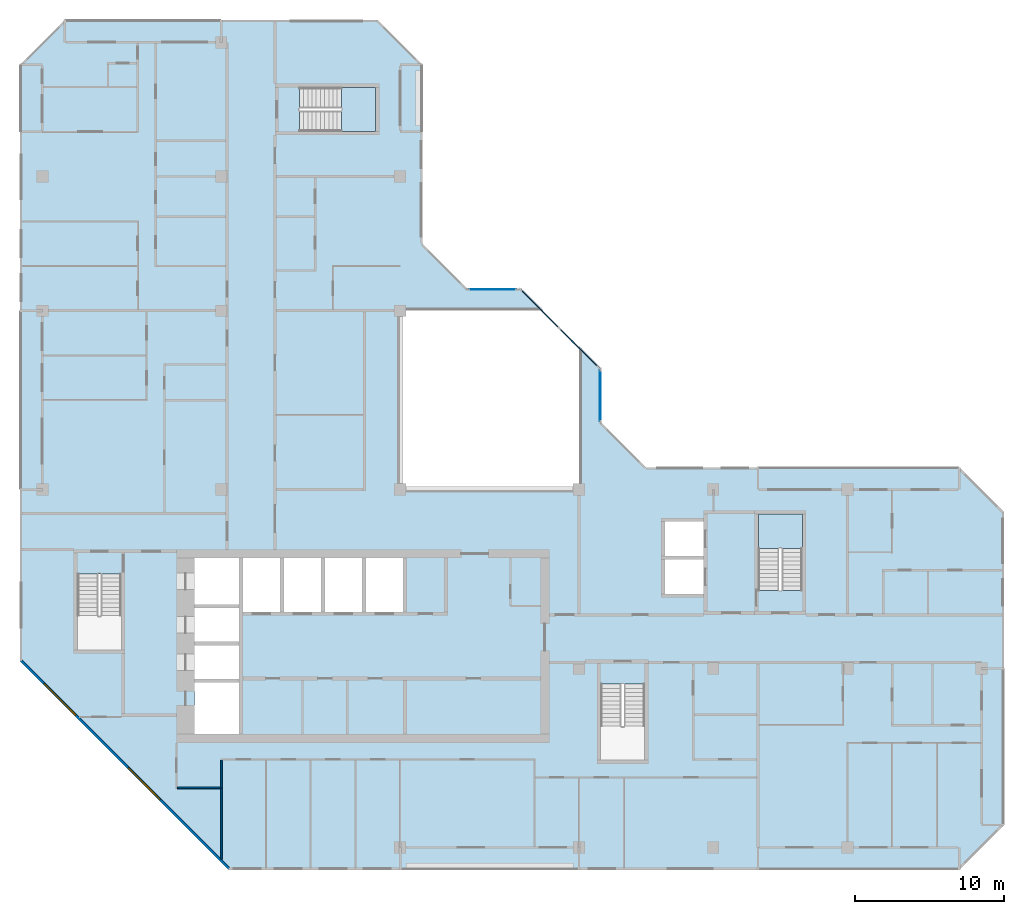
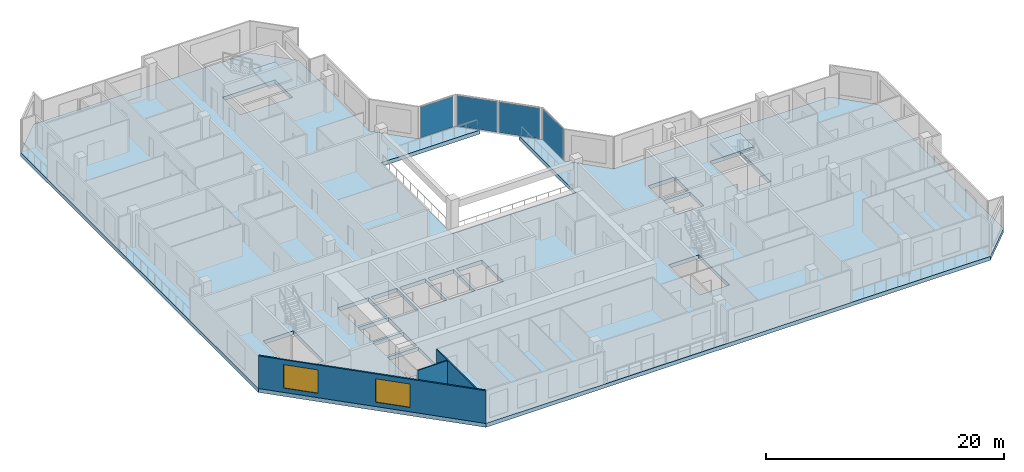
# One storey, part 3 of 13: 4 plates, 3 slabs, 3 walls, 2 windows, 2 openings, 5 elements without a shape of their own.
"""IFC4 building model written with IfcOpenShell, lengths in metres."""

from ifc_helpers import new_model, si_unit, direction, frame, frame_2d, origin, origin_2d, place, context, subcontext, project, spatial, polyline, rectangle, outline, extrude, material, layer, layer_set, type_object, element, fill, aggregate, save


model = new_model("IFC4")

# Units and contexts
model_context = context("Model", 3, precision=1e-05, world=origin(), true_north=direction((0.0, 1.0)))
body_context = subcontext(model_context, "Body", "Model", "MODEL_VIEW")
ifc_project = project(units=[si_unit("LENGTHUNIT", "METRE"), si_unit("AREAUNIT", "SQUARE_METRE"), si_unit("VOLUMEUNIT", "CUBIC_METRE"), si_unit("PLANEANGLEUNIT", "RADIAN"), si_unit("MASSUNIT", "GRAM", prefix="KILO")], contexts=[model_context])

# Site, building, storey
site_placement = place(None, origin())
site = spatial("IfcSite", under=ifc_project, at=site_placement, CompositionType="ELEMENT")
building_placement = place(site_placement, origin())
building = spatial("IfcBuilding", under=site, at=building_placement, Name="Chenar Terraces", CompositionType="ELEMENT")
storey_placement = place(building_placement, frame((0.0, 0.0, 277.14990234375)))
storey = spatial("IfcBuildingStorey", under=building, at=storey_placement, Name="L64", CompositionType="ELEMENT", Elevation=277.14990234375)

# Curtain wall, plate
ifc_material_1 = material(Name="Aluminium framed glazing", Category="aluminium")
ifc_layer_1 = layer(ifc_material_1, 0.14990234375)
ifc_layer_set_1 = layer_set([ifc_layer_1], Name="Aluminium framed glazing")
curtain_wall_type = type_object("IfcCurtainWallType", Name="Atrium upper-zone curtain wall", PredefinedType="NOTDEFINED", material=ifc_layer_set_1)
placement_1 = place(storey_placement, origin())
curtain_wall_1 = element("IfcCurtainWall", 1, at=placement_1, inside=storey, type_object=curtain_wall_type, Name="Atrium upper-zone curtain wall", PredefinedType="NOTDEFINED")
ifc_material_2 = material(Name="Low emissivity laminated glass, solar control coating", Category="glass")
ifc_layer_2 = layer(ifc_material_2, 0.050048828125)
ifc_layer_set_2 = layer_set([ifc_layer_2], Name="Low emissivity laminated glass, solar control coating")
plate_type = type_object("IfcPlateType", Name="Atrium upper-zone glazing panel 50", PredefinedType="CURTAIN_PANEL", material=ifc_layer_set_2)
plate_1_placement = place(storey_placement, frame((37.425048828125, 30.300048828125, 0.10009765625), z_axis=(0.0, 0.0, 1.0), x_axis=(0.0, 1.0, 0.0)))
plate_1 = element("IfcPlate", 2, at=plate_1_placement, type_object=plate_type, Name="CW8-1 panel 1.1", PredefinedType="CURTAIN_PANEL", context=body_context, shape_type="SweptSolid", body=[
    extrude(rectangle(XDim=3.39990234375, YDim=0.050048828125, at=origin_2d()), origin(), (0.0, 0.0, 1.0), 3.14990234375),
])
aggregate(curtain_wall_1, [plate_1])

# Curtain wall, plates
curtain_wall_2 = element("IfcCurtainWall", 3, at=placement_1, inside=storey, type_object=curtain_wall_type, Name="Atrium upper-zone curtain wall", PredefinedType="NOTDEFINED")
plate_2_placement = place(storey_placement, frame((35.97314453125, 33.520751953125, 0.10009765625), z_axis=(0.0, 0.0, 1.0), x_axis=(-0.707106781187, 0.707106781187, 0.0)))
plate_2 = element("IfcPlate", 4, at=plate_2_placement, type_object=plate_type, Name="CW8-2 panel 1.1", PredefinedType="CURTAIN_PANEL", context=body_context, shape_type="SweptSolid", body=[
    extrude(rectangle(XDim=3.568359375, YDim=0.050048828125, at=origin_2d()), origin(), (0.0, 0.0, 1.0), 3.14990234375),
])
plate_3_placement = place(storey_placement, frame((33.379150390625, 36.11474609375, 0.10009765625), z_axis=(0.0, 0.0, 1.0), x_axis=(-0.707106781187, 0.707106781187, 0.0)))
plate_3 = element("IfcPlate", 5, at=plate_3_placement, type_object=plate_type, Name="CW8-2 panel 2.1", PredefinedType="CURTAIN_PANEL", context=body_context, shape_type="SweptSolid", body=[
    extrude(rectangle(XDim=3.568359375, YDim=0.050048828125, at=origin_2d()), origin(), (0.0, 0.0, 1.0), 3.14990234375),
])
aggregate(curtain_wall_2, [plate_2, plate_3])

# Curtain wall, plate
curtain_wall_3 = element("IfcCurtainWall", 6, at=placement_1, inside=storey, type_object=curtain_wall_type, Name="Atrium upper-zone curtain wall", PredefinedType="NOTDEFINED")
plate_4_placement = place(storey_placement, frame((30.199951171875, 37.425048828125, 0.10009765625), z_axis=(0.0, 0.0, 1.0), x_axis=(-1.0, 0.0, 0.0)))
plate_4 = element("IfcPlate", 7, at=plate_4_placement, type_object=plate_type, Name="CW8-3 panel 1.1", PredefinedType="CURTAIN_PANEL", context=body_context, shape_type="SweptSolid", body=[
    extrude(rectangle(XDim=3.199951171875, YDim=0.050048828125, at=origin_2d()), origin(), (0.0, 0.0, 1.0), 3.14990234375),
])
aggregate(curtain_wall_3, [plate_4])

# Stair, slab
ifc_material_3 = material(Name="Reinforced concrete C40/50", Category="concrete")
stair_type = type_object("IfcStairType", Name="Core stair 1400 half-turn", PredefinedType="HALF_TURN_STAIR", material=ifc_material_3)
stair_1 = element("IfcStair", 8, at=placement_1, inside=storey, type_object=stair_type, Name="L64 Stair 3", PredefinedType="HALF_TURN_STAIR")
ifc_material_4 = material(Name="Reinforced concrete C40/50", Category="concrete")
ifc_layer_3 = layer(ifc_material_4, 0.199951171875)
ifc_layer_set_3 = layer_set([ifc_layer_3], Name="Reinforced concrete C40/50")
slab_type_1 = type_object("IfcSlabType", Name="Core stair landing 200", PredefinedType="LANDING", material=ifc_layer_set_3)
placement_2 = place(storey_placement, frame((0.0, 0.0, 1.675048828125)))
slab_1 = element("IfcSlab", 9, at=placement_2, type_object=slab_type_1, Name="ST3 landing 1", PredefinedType="LANDING", context=body_context, shape_type="SweptSolid", body=[
    extrude(outline(polyline([(50.97509765625, 20.050048828125), (50.97509765625, 22.35009765625), (48.02490234375, 22.35009765625), (48.02490234375, 20.050048828125), (50.97509765625, 20.050048828125)])), origin(), (0.0, 0.0, 1.0), 0.199951171875),
])
aggregate(stair_1, [slab_1])

stair_2 = element("IfcStair", 10, at=placement_1, inside=storey, type_object=stair_type, Name="L64 Stair 4", PredefinedType="HALF_TURN_STAIR")
slab_2 = element("IfcSlab", 11, at=placement_2, type_object=slab_type_1, Name="ST4 landing 1", PredefinedType="LANDING", context=body_context, shape_type="SweptSolid", body=[
    extrude(outline(polyline([(20.050048828125, 48.02490234375), (22.35009765625, 48.02490234375), (22.35009765625, 50.97509765625), (20.050048828125, 50.97509765625), (20.050048828125, 48.02490234375)])), origin(), (0.0, 0.0, 1.0), 0.199951171875),
])
aggregate(stair_2, [slab_2])

# Slab
ifc_material_5 = material(Name="Concrete C40/50", Category="concrete")
ifc_layer_4 = layer(ifc_material_5, 0.39990234375)
ifc_layer_set_4 = layer_set([ifc_layer_4], Name="Concrete C40/50")
slab_type_2 = type_object("IfcSlabType", Name="Floor slab 400 Concrete C40/50", PredefinedType="FLOOR", material=ifc_layer_set_4)
slab_3_placement = place(storey_placement, frame((0.0, 0.0, -0.39990234375)))
element("IfcSlab", 12, at=slab_3_placement, inside=storey, type_object=slab_type_2, Name="Floor slab L64", PredefinedType="FLOOR", context=body_context, shape_type="SweptSolid", body=[
    extrude(outline(polyline([(64.5, 22.5), (64.5, 1.5), (61.5, -1.5), (12.5, -1.5), (-1.5, 12.5), (-1.5, 52.5), (1.5, 55.5), (22.5, 55.5), (25.5, 52.5), (25.5, 40.5), (28.5, 37.5), (32.10009765625, 37.5), (33.60009765625, 36.0), (24.0, 36.0), (24.0, 24.0), (36.0, 24.0), (36.0, 33.60009765625), (37.5, 32.10009765625), (37.5, 28.5), (40.5, 25.5), (61.5, 25.5), (64.5, 22.5)]), holes=[polyline([(10.199951171875, 11.050048828125), (10.199951171875, 7.60009765625), (13.199951171875, 7.60009765625), (13.199951171875, 11.050048828125), (10.199951171875, 11.050048828125)]), polyline([(13.199951171875, 13.550048828125), (10.199951171875, 13.550048828125), (10.199951171875, 11.300048828125), (13.199951171875, 11.300048828125), (13.199951171875, 13.550048828125)]), polyline([(13.199951171875, 16.050048828125), (10.199951171875, 16.050048828125), (10.199951171875, 13.800048828125), (13.199951171875, 13.800048828125), (13.199951171875, 16.050048828125)]), polyline([(2.35009765625, 13.25), (5.300048828125, 13.25), (5.300048828125, 18.35009765625), (2.35009765625, 18.35009765625), (2.35009765625, 13.25)]), polyline([(15.949951171875, 19.39990234375), (13.449951171875, 19.39990234375), (13.449951171875, 15.800048828125), (15.949951171875, 15.800048828125), (15.949951171875, 19.39990234375)]), polyline([(18.699951171875, 19.39990234375), (16.199951171875, 19.39990234375), (16.199951171875, 15.800048828125), (18.699951171875, 15.800048828125), (18.699951171875, 19.39990234375)]), polyline([(13.199951171875, 19.39990234375), (10.199951171875, 19.39990234375), (10.199951171875, 16.300048828125), (13.199951171875, 16.300048828125), (13.199951171875, 19.39990234375)]), polyline([(22.35009765625, 48.02490234375), (22.35009765625, 50.97509765625), (17.25, 50.97509765625), (17.25, 48.02490234375), (22.35009765625, 48.02490234375)]), polyline([(37.449951171875, 5.85009765625), (40.39990234375, 5.85009765625), (40.39990234375, 10.949951171875), (37.449951171875, 10.949951171875), (37.449951171875, 5.85009765625)]), polyline([(21.449951171875, 19.39990234375), (18.949951171875, 19.39990234375), (18.949951171875, 15.800048828125), (21.449951171875, 15.800048828125), (21.449951171875, 19.39990234375)]), polyline([(24.199951171875, 19.39990234375), (21.699951171875, 19.39990234375), (21.699951171875, 15.800048828125), (24.199951171875, 15.800048828125), (24.199951171875, 19.39990234375)]), polyline([(44.35009765625, 19.300048828125), (41.75, 19.300048828125), (41.75, 17.0), (44.35009765625, 17.0), (44.35009765625, 19.300048828125)]), polyline([(50.97509765625, 22.35009765625), (48.02490234375, 22.35009765625), (48.02490234375, 17.25), (50.97509765625, 17.25), (50.97509765625, 22.35009765625)]), polyline([(44.35009765625, 21.85009765625), (41.75, 21.85009765625), (41.75, 19.550048828125), (44.35009765625, 19.550048828125), (44.35009765625, 21.85009765625)])]), origin(), (0.0, 0.0, 1.0), 0.39990234375),
])

# Walls
ifc_material_6 = material(Name="Gypsum board on steel studs", Category="steel")
ifc_layer_5 = layer(ifc_material_6, 0.10009765625)
ifc_layer_set_5 = layer_set([ifc_layer_5], Name="Gypsum board on steel studs")
wall_type_1 = type_object("IfcWallType", Name="Gypsum partition 100", PredefinedType="PARTITIONING", material=ifc_layer_set_5)
wall_1_placement = place(storey_placement, frame((9.050048828125, 4.0, 0.0), z_axis=(0.0, 0.0, 1.0), x_axis=(1.0, 0.0, 0.0)))
element("IfcWall", 13, at=wall_1_placement, inside=storey, type_object=wall_type_1, Name="Partition L64-025", PredefinedType="PARTITIONING", context=body_context, shape_type="SweptSolid", body=[
    extrude(rectangle(XDim=2.89990234375, YDim=0.10009765625, at=frame_2d((1.449951171875, 0.0))), origin(), (0.0, 0.0, 1.0), 3.35009765625),
])
wall_2_placement = place(storey_placement, frame((12.0, -0.787841796875, 0.0), z_axis=(0.0, 0.0, 1.0), x_axis=(0.0, 1.0, 0.0)))
element("IfcWall", 14, at=wall_2_placement, inside=storey, type_object=wall_type_1, Name="Partition L64-027", PredefinedType="PARTITIONING", context=body_context, shape_type="SweptSolid", body=[
    extrude(rectangle(XDim=6.637939453125, YDim=0.10009765625, at=frame_2d((3.31884765625, 0.0))), origin(), (0.0, 0.0, 1.0), 3.35009765625),
])

# Wall, openings, windows
ifc_material_7 = material(Name="Terracotta cladding on insulated backing", Category="masonry")
ifc_layer_6 = layer(ifc_material_7, 0.14990234375)
ifc_layer_set_6 = layer_set([ifc_layer_6], Name="Terracotta cladding on insulated backing")
wall_type_2 = type_object("IfcWallType", Name="Terracotta rainscreen wall 150", PredefinedType="SOLIDWALL", material=ifc_layer_set_6)
wall_3_placement = place(storey_placement, frame((-1.447021484375, 12.552978515625, 0.0), z_axis=(0.0, 0.0, 1.0), x_axis=(0.707106781187, -0.707106781187, 0.0)))
wall_3 = element("IfcWall", 15, at=wall_3_placement, inside=storey, type_object=wall_type_2, Name="Terracotta rainscreen wall", PredefinedType="SOLIDWALL", context=body_context, shape_type="SweptSolid", body=[
    extrude(rectangle(XDim=19.799072265625, YDim=0.14990234375, at=frame_2d((9.8994140625, 0.0))), origin(), (0.0, 0.0, 1.0), 3.35009765625),
])
opening_1_placement = place(wall_3_placement, frame((2.21240234375, 0.0, 0.449951171875)))
opening_1 = element("IfcOpeningElement", 16, at=opening_1_placement, cuts=wall_3, Name="Opening W300x240", PredefinedType="OPENING", context=body_context, shape_type="SweptSolid", body=[
    extrude(rectangle(XDim=3.0, YDim=2.39990234375, at=frame_2d((1.5, 1.199951171875))), frame((0.0, 0.0849609375, 0.0), z_axis=(0.0, -1.0, 0.0), x_axis=(1.0, 0.0, 0.0)), (0.0, 0.0, 1.0), 0.169921875),
])
opening_2_placement = place(wall_3_placement, frame((10.215576171875, 0.0, 0.449951171875)))
opening_2 = element("IfcOpeningElement", 17, at=opening_2_placement, cuts=wall_3, Name="Opening W300x240", PredefinedType="OPENING", context=body_context, shape_type="SweptSolid", body=[
    extrude(rectangle(XDim=3.0, YDim=2.39990234375, at=frame_2d((1.5, 1.199951171875))), frame((0.0, 0.0849609375, 0.0), z_axis=(0.0, -1.0, 0.0), x_axis=(1.0, 0.0, 0.0)), (0.0, 0.0, 1.0), 0.169921875),
])
ifc_material_8 = material(Name="Low emissivity double glazing, aluminium frame", Category="aluminium")
window_type = type_object("IfcWindowType", Name="Fixed light 3000 x 2400", PartitioningType="SINGLE_PANEL", PredefinedType="WINDOW", material=ifc_material_8)
window_1_placement = place(opening_1_placement, origin())
window_1 = element("IfcWindow", 18, at=window_1_placement, inside=storey, type_object=window_type, Name="Window", OverallHeight=2.39990234375, OverallWidth=3.0, PartitioningType="SINGLE_PANEL", PredefinedType="WINDOW", context=body_context, shape_type="SweptSolid", body=[
    extrude(rectangle(XDim=3.0, YDim=2.39990234375, at=frame_2d((1.5, 1.199951171875))), frame((0.0, 0.030029296875, 0.0), z_axis=(0.0, -1.0, 0.0), x_axis=(1.0, 0.0, 0.0)), (0.0, 0.0, 1.0), 0.06005859375),
])
fill(opening_1, window_1)
window_2_placement = place(opening_2_placement, origin())
window_2 = element("IfcWindow", 19, at=window_2_placement, inside=storey, type_object=window_type, Name="Window", OverallHeight=2.39990234375, OverallWidth=3.0, PartitioningType="SINGLE_PANEL", PredefinedType="WINDOW", context=body_context, shape_type="SweptSolid", body=[
    extrude(rectangle(XDim=3.0, YDim=2.39990234375, at=frame_2d((1.5, 1.199951171875))), frame((0.0, 0.030029296875, 0.0), z_axis=(0.0, -1.0, 0.0), x_axis=(1.0, 0.0, 0.0)), (0.0, 0.0, 1.0), 0.06005859375),
])
fill(opening_2, window_2)

save(model, "model.ifc")
